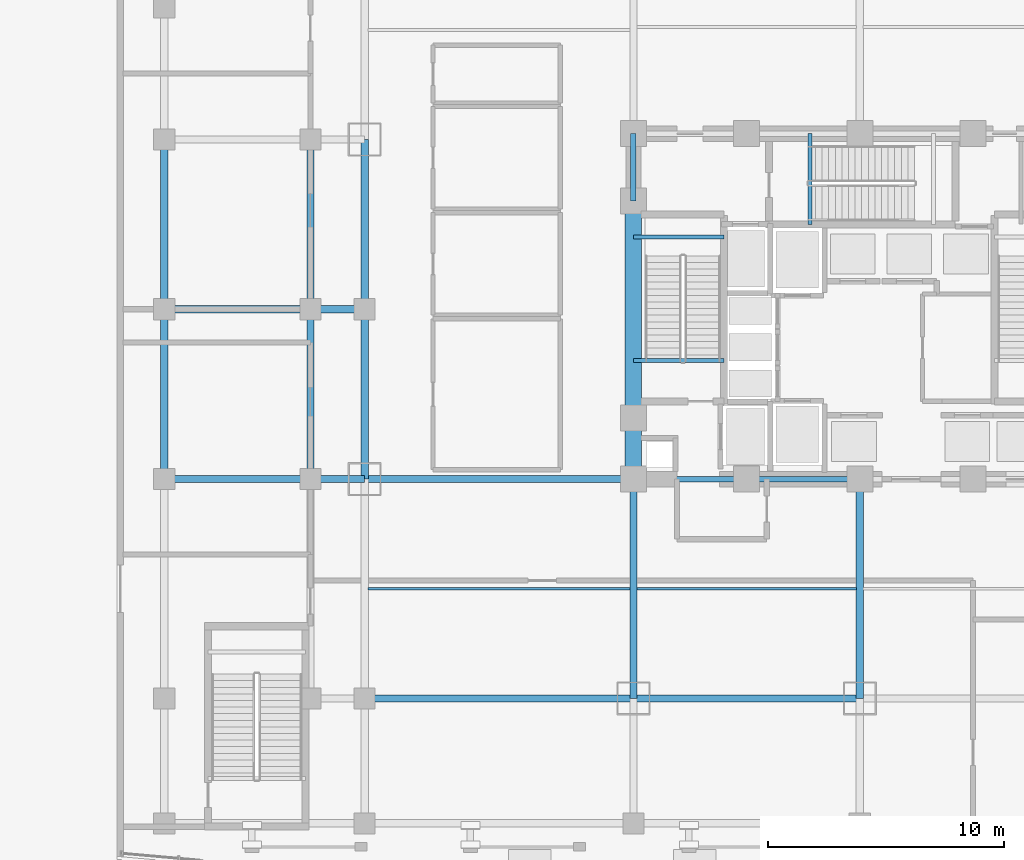
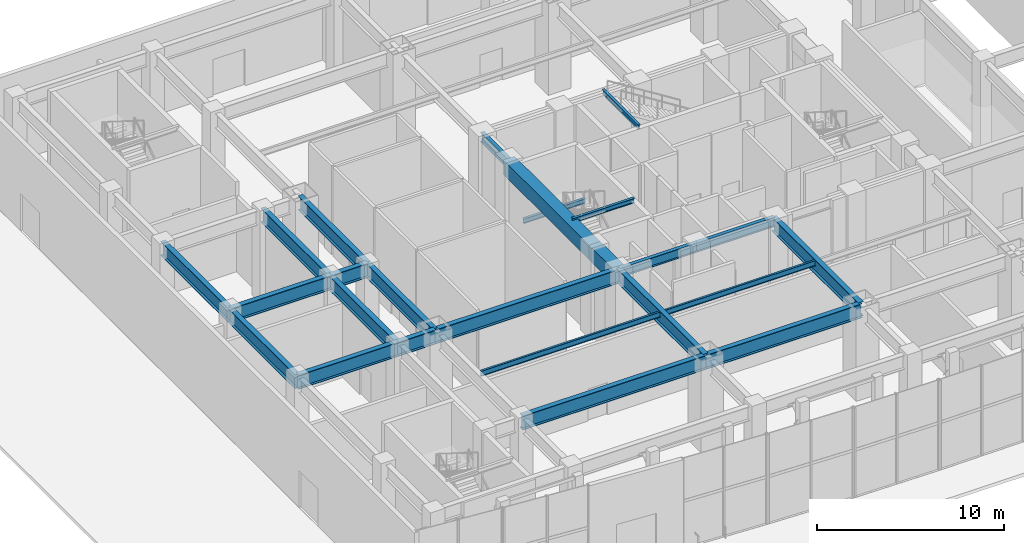
# One storey, part 6 of 23: 25 beams.
"""IFC4 building model written with IfcOpenShell, lengths in metres."""

import ifcopenshell
import ifcopenshell.guid

model = None  # the IFC model being written
_history = None  # IfcOwnerHistory: only IFC2X3 demands one
_inside = {}  # id of a spatial element -> (the spatial element, [elements in it])
_under = {}  # id of a project, library or spatial element -> (it, [spatial elements below it])
_declared = {}  # id of a project -> (the project, [libraries it declares])
_typed = {}  # id of a type object -> (the type object, [elements of that type])
_made_of = {}  # id of a material, layer set ... -> (it, [elements and type objects made of it])


def new_model(schema):
    """Start an empty IFC model of exactly this schema.

    Asked for "IFC4X3", IfcOpenShell would pick the latest addendum, in which some entities
    have other attributes; the version numbers below select the first issue.
    IFC2X3 requires an IfcOwnerHistory on every rooted entity: one is made here for all.
    """
    global model, _history
    if schema == "IFC4X3":
        model = ifcopenshell.file(schema_version=(4, 3, 0, 0))
    else:
        model = ifcopenshell.file(schema=schema)
    _inside.clear()
    _under.clear()
    _declared.clear()
    _typed.clear()
    _made_of.clear()
    _history = None
    if model.schema == "IFC2X3":
        org = make("IfcOrganization", Name="unknown")
        user = make(
            "IfcPersonAndOrganization",
            ThePerson=make("IfcPerson", FamilyName="unknown"),
            TheOrganization=org,
        )
        app = make(
            "IfcApplication",
            ApplicationDeveloper=org,
            Version="unknown",
            ApplicationFullName="unknown",
            ApplicationIdentifier="unknown",
        )
        _history = make(
            "IfcOwnerHistory",
            OwningUser=user,
            OwningApplication=app,
            ChangeAction="ADDED",
            CreationDate=0,
        )
    return model


def make(cls, **values):
    """One entity of the class cls with the attributes given. An attribute that is None is left unset."""
    return model.create_entity(
        cls, **{name: value for name, value in values.items() if value is not None}
    )


def rooted(cls, **values):
    """An entity with a GlobalId (a new one), such as an element, a storey or a relation."""
    return make(cls, GlobalId=ifcopenshell.guid.new(), OwnerHistory=_history, **values)


def si_unit(unit_type, name, prefix=None):
    """IfcSIUnit, for example si_unit("LENGTHUNIT", "METRE", prefix="MILLI")."""
    return make("IfcSIUnit", UnitType=unit_type, Prefix=prefix, Name=name)


def assignment(units):
    """IfcUnitAssignment: the units of a project."""
    return None if units is None else make("IfcUnitAssignment", Units=units)


def point(xyz):
    """IfcCartesianPoint."""
    return None if xyz is None else make("IfcCartesianPoint", Coordinates=xyz)


def direction(xyz):
    """IfcDirection."""
    return None if xyz is None else make("IfcDirection", DirectionRatios=xyz)


def frame(location, z_axis=None, x_axis=None):
    """IfcAxis2Placement3D, a coordinate frame: its origin and axes. An axis left out is left unset."""
    return make(
        "IfcAxis2Placement3D",
        Location=point(location),
        Axis=direction(z_axis),
        RefDirection=direction(x_axis),
    )


def frame_2d(location, x_axis=None):
    """IfcAxis2Placement2D, a coordinate frame in the plane: its origin and x axis."""
    return make(
        "IfcAxis2Placement2D", Location=point(location), RefDirection=direction(x_axis)
    )


def origin():
    """The frame at (0, 0, 0) with its axes left unset."""
    return frame((0.0, 0.0, 0.0))


def origin_2d():
    """The frame at (0, 0) in the plane with its x axis left unset."""
    return frame_2d((0.0, 0.0))


def place(relative_to, where):
    """IfcLocalPlacement: puts the frame where relative to a parent placement (None: the world)."""
    return make(
        "IfcLocalPlacement", PlacementRelTo=relative_to, RelativePlacement=where
    )


def context(
    kind, dimensions, precision=None, world=None, true_north=None, identifier=None
):
    """IfcGeometricRepresentationContext, for example the 3D "Model" context."""
    return make(
        "IfcGeometricRepresentationContext",
        ContextIdentifier=identifier,
        ContextType=kind,
        CoordinateSpaceDimension=dimensions,
        Precision=precision,
        WorldCoordinateSystem=world,
        TrueNorth=true_north,
    )


def subcontext(parent, identifier, kind, view, scale=None):
    """IfcGeometricRepresentationSubContext, for example "Body" below "Model"."""
    return make(
        "IfcGeometricRepresentationSubContext",
        ContextIdentifier=identifier,
        ContextType=kind,
        ParentContext=parent,
        TargetScale=scale,
        TargetView=view,
    )


def project(units=None, contexts=None):
    """IfcProject with its units and contexts."""
    return rooted(
        "IfcProject",
        Name="project",
        RepresentationContexts=contexts,
        UnitsInContext=assignment(units),
    )


def spatial(cls, under=None, at=None, **own):
    """A site, building, storey or space (cls), placed at a placement, below another one or the project."""
    s = rooted(cls, ObjectPlacement=at, **own)
    if under is not None:
        _under.setdefault(under.id(), (under, []))[1].append(s)
    return s


def profile(cls, at=None, kind="AREA", **sizes):
    """A parametric profile (cls). Its sizes go by their IFC names, for example OverallWidth=200.0."""
    return make(cls, ProfileType=kind, Position=at, **sizes)


def rectangle(**sizes):
    """IfcRectangleProfileDef."""
    return profile("IfcRectangleProfileDef", **sizes)


def i_section(**sizes):
    """IfcIShapeProfileDef."""
    return profile("IfcIShapeProfileDef", **sizes)


def extrude(swept, where, along, depth):
    """IfcExtrudedAreaSolid: the profile swept, set in the frame where, extruded along a direction by depth."""
    return make(
        "IfcExtrudedAreaSolid",
        SweptArea=swept,
        Position=where,
        ExtrudedDirection=direction(along),
        Depth=depth,
    )


def shape(context_of_items, identifier, shape_type, items):
    """IfcShapeRepresentation: the items that make up one representation, for example the "Body"."""
    return make(
        "IfcShapeRepresentation",
        ContextOfItems=context_of_items,
        RepresentationIdentifier=identifier,
        RepresentationType=shape_type,
        Items=items,
    )


def material(Name=None, Category=None):
    """IfcMaterial."""
    return make("IfcMaterial", Name=Name, Category=Category)


def material_profile(
    of_material, cross_section, Name=None, Category=None, Priority=None
):
    """IfcMaterialProfile: a cross section and its material."""
    return make(
        "IfcMaterialProfile",
        Name=Name,
        Material=of_material,
        Profile=cross_section,
        Priority=Priority,
        Category=Category,
    )


def profile_set(profiles, Name=None, composite=None):
    """IfcMaterialProfileSet."""
    return make(
        "IfcMaterialProfileSet",
        Name=Name,
        MaterialProfiles=profiles,
        CompositeProfile=composite,
    )


def made_of(thing, what):
    """Note that an element or type object is made of a material, layer set ...; save() writes the relation."""
    if what is not None:
        _made_of.setdefault(what.id(), (what, []))[1].append(thing)
    return thing


def type_object(cls, material=None, **own):
    """A type object (cls), such as IfcWallType, which elements share."""
    return made_of(rooted(cls, **own), material)


def element(
    cls,
    number,
    at=None,
    inside=None,
    cuts=None,
    type_object=None,
    material=None,
    context=None,
    identifier="Body",
    shape_type=None,
    held_by="IfcProductDefinitionShape",
    body=None,
    shapes=None,
    **own,
):
    """One element of the class cls, such as IfcWall. Its Tag is "e" and its number.

    at: its placement. inside: the storey or other place that contains it. cuts: it is an
    opening in that element (IfcRelVoidsElement). A single representation is given by context,
    identifier, shape_type and body (its items); several are given by shapes. held_by: the class
    of the entity that holds the representations. save() writes the other relations.
    """
    e = rooted(cls, Tag="e%d" % number, ObjectPlacement=at, **own)
    if body is not None:
        shapes = [shape(context, identifier, shape_type, body)]
    if shapes is not None:
        e.Representation = make(held_by, Representations=shapes)
    if inside is not None:
        _inside.setdefault(inside.id(), (inside, []))[1].append(e)
    if cuts is not None:
        rooted(
            "IfcRelVoidsElement", RelatingBuildingElement=cuts, RelatedOpeningElement=e
        )
    if type_object is not None:
        _typed.setdefault(type_object.id(), (type_object, []))[1].append(e)
    return made_of(e, material)


def aggregate(whole, parts):
    """IfcRelAggregates: a whole, such as a stair, and the parts it consists of."""
    return rooted("IfcRelAggregates", RelatingObject=whole, RelatedObjects=parts)


def save(model, path):
    """Write the relations noted so far, then the file.

    IfcRelAggregates (storeys below a building ...), IfcRelContainedInSpatialStructure (elements
    in a storey), IfcRelDefinesByType, IfcRelAssociatesMaterial and IfcRelDeclares: one each for
    every whole, place, type object, material and project.
    """
    for whole, parts in _under.values():
        aggregate(whole, parts)
    for where, things in _inside.values():
        rooted(
            "IfcRelContainedInSpatialStructure",
            RelatedElements=things,
            RelatingStructure=where,
        )
    for kind, things in _typed.values():
        rooted("IfcRelDefinesByType", RelatedObjects=things, RelatingType=kind)
    for what, things in _made_of.values():
        rooted("IfcRelAssociatesMaterial", RelatedObjects=things, RelatingMaterial=what)
    for by, libraries in _declared.values():
        rooted("IfcRelDeclares", RelatingContext=by, RelatedDefinitions=libraries)
    model.write(path)


model = new_model("IFC4")

# Units and contexts
model_context = context("Model", 3, precision=1e-05, world=origin(), true_north=direction((0.0, 1.0)))
body_context = subcontext(model_context, "Body", "Model", "MODEL_VIEW")
ifc_project = project(units=[si_unit("LENGTHUNIT", "METRE"), si_unit("AREAUNIT", "SQUARE_METRE"), si_unit("VOLUMEUNIT", "CUBIC_METRE"), si_unit("PLANEANGLEUNIT", "RADIAN"), si_unit("MASSUNIT", "GRAM", prefix="KILO")], contexts=[model_context])

# Site, building, storey
site_placement = place(None, origin())
site = spatial("IfcSite", under=ifc_project, at=site_placement, CompositionType="ELEMENT")
building_placement = place(site_placement, origin())
building = spatial("IfcBuilding", under=site, at=building_placement, Name="Vantalir Tower", CompositionType="ELEMENT")
storey_placement = place(building_placement, origin())
storey = spatial("IfcBuildingStorey", under=building, at=storey_placement, Name="L00", CompositionType="ELEMENT", Elevation=0.0)

# Beams
ifc_material_1 = material(Name="Concrete C60/75", Category="concrete")
ifc_material_profile_1 = material_profile(ifc_material_1, rectangle(XDim=0.699951171875, YDim=0.949951171875, at=origin_2d()), Name="Concrete C60/75")
ifc_profile_set_1 = profile_set([ifc_material_profile_1], Name="Concrete C60/75")
beam_type_1 = type_object("IfcBeamType", Name="BM-CB-700x950", PredefinedType="USERDEFINED", material=ifc_profile_set_1)
beam_1_placement = place(storey_placement, frame((21.89990234375, 29.60009765625, 5.344970703125), z_axis=(0.0, -1.0, 0.0), x_axis=(1.0, 0.0, 0.0)))
element("IfcBeam", 1, at=beam_1_placement, inside=storey, type_object=beam_type_1, Name="L00 Core Coupling Girder 13", ObjectType="GIRDER", PredefinedType="USERDEFINED", context=body_context, shape_type="SweptSolid", body=[
    extrude(rectangle(XDim=0.699951171875, YDim=0.949951171875, at=origin_2d()), origin(), (0.0, 0.0, 1.0), 9.2001953125),
])
beam_2_placement = place(storey_placement, frame((21.89990234375, 20.39990234375, 5.344970703125), z_axis=(0.0, -1.0, 0.0), x_axis=(1.0, 0.0, 0.0)))
element("IfcBeam", 2, at=beam_2_placement, inside=storey, type_object=beam_type_1, Name="L00 Core Coupling Girder 14", ObjectType="GIRDER", PredefinedType="USERDEFINED", context=body_context, shape_type="SweptSolid", body=[
    extrude(rectangle(XDim=0.699951171875, YDim=0.949951171875, at=origin_2d()), origin(), (0.0, 0.0, 1.0), 2.599853515625),
])
ifc_material_2 = material(Name="Steel S355", Category="steel")
ifc_material_profile_2 = material_profile(ifc_material_2, i_section(OverallWidth=0.166015625, OverallDepth=0.306884765625, WebThickness=0.006591796875, FlangeThickness=0.01171875, at=origin_2d()), Name="Steel S355")
ifc_profile_set_2 = profile_set([ifc_material_profile_2], Name="Steel S355")
beam_type_2 = type_object("IfcBeamType", Name="BM-JS-305x165", PredefinedType="JOIST", material=ifc_profile_set_2)
for number, where, z_axis, x_axis, name in (
    (3, (21.89990234375, 22.8349609375, 5.845947265625), (1.0, 0.0, 0.0), (0.0, 1.0, 0.0), "Level 01 Stair ST1 Well Nosing Trimmer Beam"),
    (4, (21.89990234375, 28.070068359375, 2.64599609375), (1.0, 0.0, 0.0), (0.0, 1.0, 0.0), "L00 Stair ST1 Half-Landing Support Beam"),
):
    element("IfcBeam", number, at=place(storey_placement, frame(where, z_axis=z_axis, x_axis=x_axis)), inside=storey, type_object=beam_type_2, Name=name, PredefinedType="JOIST", context=body_context, shape_type="SweptSolid", body=[
        extrude(i_section(OverallWidth=0.166015625, OverallDepth=0.306884765625, WebThickness=0.006591796875, FlangeThickness=0.01171875, at=origin_2d()), origin(), (0.0, 0.0, 1.0), 3.840087890625),
    ])
beam_3_placement = place(storey_placement, frame((29.385009765625, 28.60009765625, 5.845947265625), z_axis=(0.0, 1.0, 0.0), x_axis=(-1.0, 0.0, 0.0)))
element("IfcBeam", 5, at=beam_3_placement, inside=storey, type_object=beam_type_2, Name="Level 01 Stair ST3 Well Nosing Trimmer Beam", PredefinedType="JOIST", context=body_context, shape_type="SweptSolid", body=[
    extrude(i_section(OverallWidth=0.166015625, OverallDepth=0.306884765625, WebThickness=0.006591796875, FlangeThickness=0.01171875, at=origin_2d()), origin(), (0.0, 0.0, 1.0), 3.849853515625),
])
ifc_material_profile_3 = material_profile(ifc_material_2, i_section(OverallWidth=0.1259765625, OverallDepth=0.35302734375, WebThickness=0.006591796875, FlangeThickness=0.0107421875, at=origin_2d()), Name="Steel S355")
ifc_profile_set_3 = profile_set([ifc_material_profile_3], Name="Steel S355")
beam_type_3 = type_object("IfcBeamType", Name="BM-JS-356x127", PredefinedType="JOIST", material=ifc_profile_set_3)
beam_4_placement = place(storey_placement, frame((10.64501953125, 13.14990234375, 5.64404296875), z_axis=(1.0, 0.0, 0.0), x_axis=(0.0, 1.0, 0.0)))
element("IfcBeam", 6, at=beam_4_placement, inside=storey, type_object=beam_type_3, Name="L00 Secondary Composite Joist 01", PredefinedType="JOIST", context=body_context, shape_type="SweptSolid", body=[
    extrude(i_section(OverallWidth=0.1259765625, OverallDepth=0.35302734375, WebThickness=0.006591796875, FlangeThickness=0.0107421875, at=origin_2d()), origin(), (0.0, 0.0, 1.0), 11.10986328125),
])
beam_5_placement = place(storey_placement, frame((22.044921875, 13.14990234375, 5.64404296875), z_axis=(1.0, 0.0, 0.0), x_axis=(0.0, 1.0, 0.0)))
element("IfcBeam", 7, at=beam_5_placement, inside=storey, type_object=beam_type_3, Name="L00 Secondary Composite Joist 03", PredefinedType="JOIST", context=body_context, shape_type="SweptSolid", body=[
    extrude(i_section(OverallWidth=0.1259765625, OverallDepth=0.35302734375, WebThickness=0.006591796875, FlangeThickness=0.0107421875, at=origin_2d()), origin(), (0.0, 0.0, 1.0), 9.31005859375),
])
ifc_material_profile_4 = material_profile(ifc_material_2, i_section(OverallWidth=0.30810546875, OverallDepth=0.927001953125, WebThickness=0.01953125, FlangeThickness=0.031982421875, at=origin_2d()), Name="Steel S355")
ifc_profile_set_4 = profile_set([ifc_material_profile_4], Name="Steel S355")
beam_type_4 = type_object("IfcBeamType", Name="BM-PG-914x305", PredefinedType="USERDEFINED", material=ifc_profile_set_4)
beam_6_placement = place(storey_placement, frame((10.5, 8.5, 5.35693359375), z_axis=(1.0, 0.0, 0.0), x_axis=(0.0, 1.0, 0.0)))
element("IfcBeam", 8, at=beam_6_placement, inside=storey, type_object=beam_type_4, Name="L00 Podium E-W Girder 08", ObjectType="GIRDER", PredefinedType="USERDEFINED", context=body_context, shape_type="SweptSolid", body=[
    extrude(i_section(OverallWidth=0.30810546875, OverallDepth=0.927001953125, WebThickness=0.01953125, FlangeThickness=0.031982421875, at=origin_2d()), origin(), (0.0, 0.0, 1.0), 11.39990234375),
])
beam_7_placement = place(storey_placement, frame((21.89990234375, 8.5, 5.35693359375), z_axis=(1.0, 0.0, 0.0), x_axis=(0.0, 1.0, 0.0)))
element("IfcBeam", 9, at=beam_7_placement, inside=storey, type_object=beam_type_4, Name="L00 Podium E-W Girder 09", ObjectType="GIRDER", PredefinedType="USERDEFINED", context=body_context, shape_type="SweptSolid", body=[
    extrude(i_section(OverallWidth=0.30810546875, OverallDepth=0.927001953125, WebThickness=0.01953125, FlangeThickness=0.031982421875, at=origin_2d()), origin(), (0.0, 0.0, 1.0), 9.60009765625),
])
beam_8_placement = place(storey_placement, frame((2.0, 17.800048828125, 5.35693359375), z_axis=(1.0, 0.0, 0.0), x_axis=(0.0, 1.0, 0.0)))
element("IfcBeam", 10, at=beam_8_placement, inside=storey, type_object=beam_type_4, Name="L00 Podium E-W Girder 12", ObjectType="GIRDER", PredefinedType="USERDEFINED", context=body_context, shape_type="SweptSolid", body=[
    extrude(i_section(OverallWidth=0.30810546875, OverallDepth=0.927001953125, WebThickness=0.01953125, FlangeThickness=0.031982421875, at=origin_2d()), origin(), (0.0, 0.0, 1.0), 6.199951171875),
])
beam_9_placement = place(storey_placement, frame((8.199951171875, 17.800048828125, 5.35693359375), z_axis=(1.0, 0.0, 0.0), x_axis=(0.0, 1.0, 0.0)))
element("IfcBeam", 11, at=beam_9_placement, inside=storey, type_object=beam_type_4, Name="L00 Podium E-W Girder 13", ObjectType="GIRDER", PredefinedType="USERDEFINED", context=body_context, shape_type="SweptSolid", body=[
    extrude(i_section(OverallWidth=0.30810546875, OverallDepth=0.927001953125, WebThickness=0.01953125, FlangeThickness=0.031982421875, at=origin_2d()), origin(), (0.0, 0.0, 1.0), 2.300048828125),
])
beam_10_placement = place(storey_placement, frame((10.5, 17.800048828125, 5.35693359375), z_axis=(1.0, 0.0, 0.0), x_axis=(0.0, 1.0, 0.0)))
element("IfcBeam", 12, at=beam_10_placement, inside=storey, type_object=beam_type_4, Name="L00 Podium E-W Girder 14", ObjectType="GIRDER", PredefinedType="USERDEFINED", context=body_context, shape_type="SweptSolid", body=[
    extrude(i_section(OverallWidth=0.30810546875, OverallDepth=0.927001953125, WebThickness=0.01953125, FlangeThickness=0.031982421875, at=origin_2d()), origin(), (0.0, 0.0, 1.0), 11.39990234375),
])
beam_11_placement = place(storey_placement, frame((2.0, 25.0, 5.35693359375), z_axis=(1.0, 0.0, 0.0), x_axis=(0.0, 1.0, 0.0)))
element("IfcBeam", 13, at=beam_11_placement, inside=storey, type_object=beam_type_4, Name="L00 Podium E-W Girder 21", ObjectType="GIRDER", PredefinedType="USERDEFINED", context=body_context, shape_type="SweptSolid", body=[
    extrude(i_section(OverallWidth=0.30810546875, OverallDepth=0.927001953125, WebThickness=0.01953125, FlangeThickness=0.031982421875, at=origin_2d()), origin(), (0.0, 0.0, 1.0), 6.199951171875),
])
beam_12_placement = place(storey_placement, frame((8.199951171875, 25.0, 5.35693359375), z_axis=(1.0, 0.0, 0.0), x_axis=(0.0, 1.0, 0.0)))
element("IfcBeam", 14, at=beam_12_placement, inside=storey, type_object=beam_type_4, Name="L00 Podium E-W Girder 22", ObjectType="GIRDER", PredefinedType="USERDEFINED", context=body_context, shape_type="SweptSolid", body=[
    extrude(i_section(OverallWidth=0.30810546875, OverallDepth=0.927001953125, WebThickness=0.01953125, FlangeThickness=0.031982421875, at=origin_2d()), origin(), (0.0, 0.0, 1.0), 2.300048828125),
])
for number, where, z_axis, x_axis, name in (
    (15, (2.0, 17.800048828125, 5.35693359375), (0.0, 1.0, 0.0), (-1.0, 0.0, 0.0), "L00 Podium N-S Girder 43"),
    (16, (2.0, 25.0, 5.35693359375), (0.0, 1.0, 0.0), (-1.0, 0.0, 0.0), "L00 Podium N-S Girder 44"),
    (17, (8.199951171875, 17.800048828125, 5.35693359375), (0.0, 1.0, 0.0), (-1.0, 0.0, 0.0), "L00 Podium N-S Girder 48"),
    (18, (8.199951171875, 25.0, 5.35693359375), (0.0, 1.0, 0.0), (-1.0, 0.0, 0.0), "L00 Podium N-S Girder 49"),
    (19, (10.5, 17.800048828125, 5.35693359375), (0.0, 1.0, 0.0), (-1.0, 0.0, 0.0), "L00 Podium N-S Girder 52"),
    (20, (10.5, 25.0, 5.35693359375), (0.0, 1.0, 0.0), (-1.0, 0.0, 0.0), "L00 Podium N-S Girder 53"),
):
    element("IfcBeam", number, at=place(storey_placement, frame(where, z_axis=z_axis, x_axis=x_axis)), inside=storey, type_object=beam_type_4, Name=name, ObjectType="GIRDER", PredefinedType="USERDEFINED", context=body_context, shape_type="SweptSolid", body=[
        extrude(i_section(OverallWidth=0.30810546875, OverallDepth=0.927001953125, WebThickness=0.01953125, FlangeThickness=0.031982421875, at=origin_2d()), origin(), (0.0, 0.0, 1.0), 7.199951171875),
    ])
for number, where, z_axis, x_axis, name in (
    (21, (21.89990234375, 8.5, 5.35693359375), (0.0, 1.0, 0.0), (-1.0, 0.0, 0.0), "L00 Podium N-S Girder 57"),
    (22, (31.5, 8.5, 5.35693359375), (0.0, 1.0, 0.0), (-1.0, 0.0, 0.0), "L00 Podium N-S Girder 64"),
):
    element("IfcBeam", number, at=place(storey_placement, frame(where, z_axis=z_axis, x_axis=x_axis)), inside=storey, type_object=beam_type_4, Name=name, ObjectType="GIRDER", PredefinedType="USERDEFINED", context=body_context, shape_type="SweptSolid", body=[
        extrude(i_section(OverallWidth=0.30810546875, OverallDepth=0.927001953125, WebThickness=0.01953125, FlangeThickness=0.031982421875, at=origin_2d()), origin(), (0.0, 0.0, 1.0), 9.300048828125),
    ])
ifc_material_profile_5 = material_profile(ifc_material_2, i_section(OverallWidth=0.22998046875, OverallDepth=0.616943359375, WebThickness=0.01318359375, FlangeThickness=0.022216796875, at=origin_2d()), Name="Steel S355")
ifc_profile_set_5 = profile_set([ifc_material_profile_5], Name="Steel S355")
beam_type_5 = type_object("IfcBeamType", Name="BM-RB-610x229", PredefinedType="BEAM", material=ifc_profile_set_5)
for number, where, z_axis, x_axis, name in (
    (23, (21.89990234375, 17.800048828125, 5.511962890625), (1.0, 0.0, 0.0), (0.0, 1.0, 0.0), "L00 Core Coupling Girder 01"),
    (24, (26.699951171875, 17.800048828125, 5.511962890625), (1.0, 0.0, 0.0), (0.0, 1.0, 0.0), "L00 Core Coupling Girder 02"),
):
    element("IfcBeam", number, at=place(storey_placement, frame(where, z_axis=z_axis, x_axis=x_axis)), inside=storey, type_object=beam_type_5, Name=name, PredefinedType="BEAM", context=body_context, shape_type="SweptSolid", body=[
        extrude(i_section(OverallWidth=0.22998046875, OverallDepth=0.616943359375, WebThickness=0.01318359375, FlangeThickness=0.022216796875, at=origin_2d()), origin(), (0.0, 0.0, 1.0), 4.800048828125),
    ])
beam_13_placement = place(storey_placement, frame((21.89990234375, 32.449951171875, 5.511962890625), z_axis=(0.0, -1.0, 0.0), x_axis=(1.0, 0.0, 0.0)))
element("IfcBeam", 25, at=beam_13_placement, inside=storey, type_object=beam_type_5, Name="L00 Core Coupling Girder 12", PredefinedType="BEAM", context=body_context, shape_type="SweptSolid", body=[
    extrude(i_section(OverallWidth=0.22998046875, OverallDepth=0.616943359375, WebThickness=0.01318359375, FlangeThickness=0.022216796875, at=origin_2d()), origin(), (0.0, 0.0, 1.0), 2.849853515625),
])

save(model, "model.ifc")
